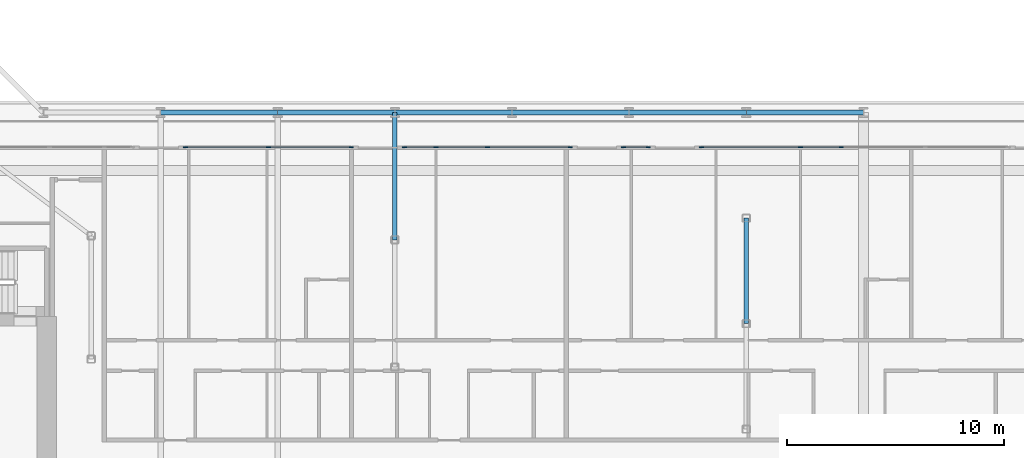
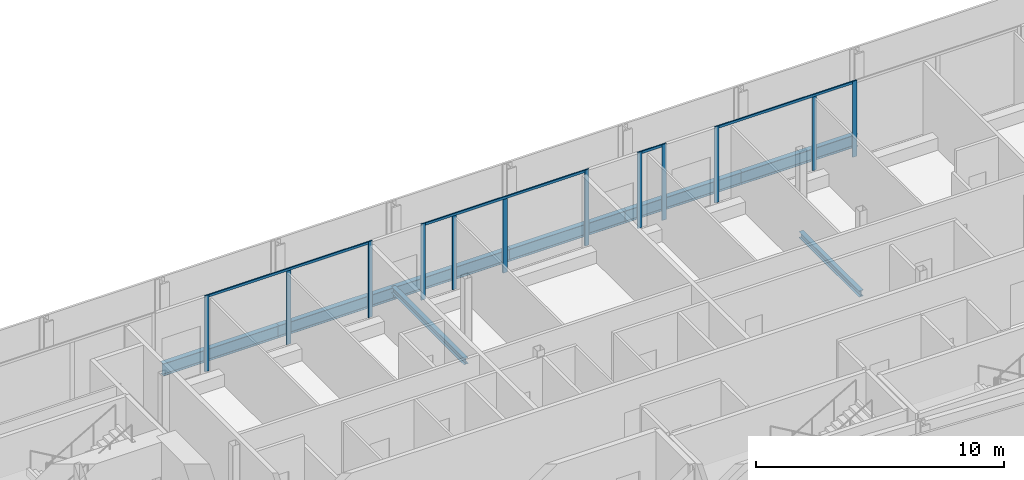
# One storey, part 6 of 28: 16 members, 8 beams, 4 elements without a shape of their own.
"""IFC4 building model written with IfcOpenShell, lengths in metres."""

from ifc_helpers import new_model, si_unit, direction, frame, origin, origin_2d, place, context, subcontext, project, spatial, rectangle, i_section, extrude, material, layer, layer_set, material_profile, profile_set, type_object, element, aggregate, save


model = new_model("IFC4")

# Units and contexts
model_context = context("Model", 3, precision=1e-05, world=origin(), true_north=direction((0.0, 1.0)))
body_context = subcontext(model_context, "Body", "Model", "MODEL_VIEW")
ifc_project = project(units=[si_unit("LENGTHUNIT", "METRE"), si_unit("AREAUNIT", "SQUARE_METRE"), si_unit("VOLUMEUNIT", "CUBIC_METRE"), si_unit("PLANEANGLEUNIT", "RADIAN"), si_unit("MASSUNIT", "GRAM", prefix="KILO")], contexts=[model_context])

# Site, building, storey
site_placement = place(None, origin())
site = spatial("IfcSite", under=ifc_project, at=site_placement, CompositionType="ELEMENT")
building_placement = place(site_placement, origin())
building = spatial("IfcBuilding", under=site, at=building_placement, Name="Kheshtan School and Residences Tower", CompositionType="ELEMENT")
storey_placement = place(building_placement, frame((0.0, 0.0, 94.10009765625)))
storey = spatial("IfcBuildingStorey", under=building, at=storey_placement, Name="L21", CompositionType="ELEMENT", Elevation=94.10009765625)

# Beams
ifc_material_1 = material(Name="Steel ASTM A992 Grade 50", Category="steel")
ifc_material_profile_1 = material_profile(ifc_material_1, i_section(OverallWidth=0.202880859375, OverallDepth=0.302978515625, WebThickness=0.007568359375, FlangeThickness=0.01318359375, FilletRadius=0.009033203125, at=origin_2d()), Name="W310x60")
ifc_profile_set_1 = profile_set([ifc_material_profile_1], Name="Steel ASTM A992 Grade 50")
beam_type_1 = type_object("IfcBeamType", Name="Beam FB1 W310x60 ASTM A992 Grade 50", PredefinedType="BEAM", material=ifc_profile_set_1)
beam_1_placement = place(storey_placement, frame((69.199951171875, 45.60009765625, -0.301513671875), z_axis=(0.0, -1.0, 0.0), x_axis=(1.0, 0.0, 0.0)))
element("IfcBeam", 1, at=beam_1_placement, inside=storey, type_object=beam_type_1, Name="Floor beam C064", PredefinedType="BEAM", context=body_context, shape_type="SweptSolid", body=[
    extrude(i_section(OverallWidth=0.202880859375, OverallDepth=0.302978515625, WebThickness=0.007568359375, FlangeThickness=0.01318359375, FilletRadius=0.009033203125, at=origin_2d()), origin(), (0.0, 0.0, 1.0), 5.8681640625),
])
beam_2_placement = place(storey_placement, frame((85.39990234375, 40.735107421875, -0.301513671875), z_axis=(0.0, -1.0, 0.0), x_axis=(1.0, 0.0, 0.0)))
element("IfcBeam", 2, at=beam_2_placement, inside=storey, type_object=beam_type_1, Name="Floor beam IC", PredefinedType="BEAM", context=body_context, shape_type="SweptSolid", body=[
    extrude(i_section(OverallWidth=0.202880859375, OverallDepth=0.302978515625, WebThickness=0.007568359375, FlangeThickness=0.01318359375, FilletRadius=0.009033203125, at=origin_2d()), origin(), (0.0, 0.0, 1.0), 4.864990234375),
])
ifc_material_profile_2 = material_profile(ifc_material_1, i_section(OverallWidth=0.22802734375, OverallDepth=0.60302734375, WebThickness=0.010498046875, FlangeThickness=0.014892578125, FilletRadius=0.013427734375, at=origin_2d()), Name="W610x101")
ifc_profile_set_2 = profile_set([ifc_material_profile_2], Name="Steel ASTM A992 Grade 50")
beam_type_2 = type_object("IfcBeamType", Name="Beam SP2 W610x101 ASTM A992 Grade 50", PredefinedType="BEAM", material=ifc_profile_set_2)
beam_3_placement = place(storey_placement, frame((58.39990234375, 45.60009765625, -0.45166015625), z_axis=(1.0, 0.0, 0.0), x_axis=(0.0, 1.0, 0.0)))
element("IfcBeam", 3, at=beam_3_placement, inside=storey, type_object=beam_type_2, Name="Spandrel beam C062-C063", PredefinedType="BEAM", context=body_context, shape_type="SweptSolid", body=[
    extrude(i_section(OverallWidth=0.22802734375, OverallDepth=0.60302734375, WebThickness=0.010498046875, FlangeThickness=0.014892578125, FilletRadius=0.013427734375, at=origin_2d()), origin(), (0.0, 0.0, 1.0), 5.400146484375),
])
beam_4_placement = place(storey_placement, frame((63.800048828125, 45.60009765625, -0.45166015625), z_axis=(1.0, 0.0, 0.0), x_axis=(0.0, 1.0, 0.0)))
element("IfcBeam", 4, at=beam_4_placement, inside=storey, type_object=beam_type_2, Name="Spandrel beam C063-C064", PredefinedType="BEAM", context=body_context, shape_type="SweptSolid", body=[
    extrude(i_section(OverallWidth=0.22802734375, OverallDepth=0.60302734375, WebThickness=0.010498046875, FlangeThickness=0.014892578125, FilletRadius=0.013427734375, at=origin_2d()), origin(), (0.0, 0.0, 1.0), 5.39990234375),
])
beam_5_placement = place(storey_placement, frame((69.199951171875, 45.60009765625, -0.45166015625), z_axis=(1.0, 0.0, 0.0), x_axis=(0.0, 1.0, 0.0)))
element("IfcBeam", 5, at=beam_5_placement, inside=storey, type_object=beam_type_2, Name="Spandrel beam C064-C065", PredefinedType="BEAM", context=body_context, shape_type="SweptSolid", body=[
    extrude(i_section(OverallWidth=0.22802734375, OverallDepth=0.60302734375, WebThickness=0.010498046875, FlangeThickness=0.014892578125, FilletRadius=0.013427734375, at=origin_2d()), origin(), (0.0, 0.0, 1.0), 5.400146484375),
])
for number, where, z_axis, x_axis, name in (
    (6, (74.60009765625, 45.60009765625, -0.45166015625), (1.0, 0.0, 0.0), (0.0, 1.0, 0.0), "Spandrel beam C065-C066"),
    (7, (80.0, 45.60009765625, -0.45166015625), (1.0, 0.0, 0.0), (0.0, 1.0, 0.0), "Spandrel beam C066-C067"),
):
    element("IfcBeam", number, at=place(storey_placement, frame(where, z_axis=z_axis, x_axis=x_axis)), inside=storey, type_object=beam_type_2, Name=name, PredefinedType="BEAM", context=body_context, shape_type="SweptSolid", body=[
        extrude(i_section(OverallWidth=0.22802734375, OverallDepth=0.60302734375, WebThickness=0.010498046875, FlangeThickness=0.014892578125, FilletRadius=0.013427734375, at=origin_2d()), origin(), (0.0, 0.0, 1.0), 5.39990234375),
    ])
beam_6_placement = place(storey_placement, frame((85.39990234375, 45.60009765625, -0.45166015625), z_axis=(1.0, 0.0, 0.0), x_axis=(0.0, 1.0, 0.0)))
element("IfcBeam", 8, at=beam_6_placement, inside=storey, type_object=beam_type_2, Name="Spandrel beam C067-C068", PredefinedType="BEAM", context=body_context, shape_type="SweptSolid", body=[
    extrude(i_section(OverallWidth=0.22802734375, OverallDepth=0.60302734375, WebThickness=0.010498046875, FlangeThickness=0.014892578125, FilletRadius=0.013427734375, at=origin_2d()), origin(), (0.0, 0.0, 1.0), 5.400146484375),
])

# Curtain wall, members
ifc_material_2 = material(Name="Clear low-e glass in thermally broken aluminium frame", Category="aluminium")
ifc_layer = layer(ifc_material_2, 0.199951171875)
ifc_layer_set = layer_set([ifc_layer], Name="Curtain wall CW-L")
curtain_wall_type = type_object("IfcCurtainWallType", Name="Curtain wall CW-L", PredefinedType="NOTDEFINED", material=ifc_layer_set)
curtain_wall_1_placement = place(storey_placement, origin())
curtain_wall_1 = element("IfcCurtainWall", 9, at=curtain_wall_1_placement, inside=storey, type_object=curtain_wall_type, Name="Curtain wall CWL8", PredefinedType="NOTDEFINED")
ifc_material_3 = material(Name="Thermally broken aluminium, dark bronze anodised", Category="aluminium")
ifc_material_profile_3 = material_profile(ifc_material_3, rectangle(XDim=0.06005859375, YDim=0.199951171875, at=origin_2d()), Name="CW-L mullion 60x200")
ifc_profile_set_3 = profile_set([ifc_material_profile_3], Name="Thermally broken aluminium, dark bronze anodised")
member_type_1 = type_object("IfcMemberType", Name="CW-L mullion 60x200", PredefinedType="MULLION", material=ifc_profile_set_3)
member_1_placement = place(storey_placement, frame((59.553955078125, 44.0, 0.0), z_axis=(0.0, 0.0, 1.0), x_axis=(0.0, 1.0, 0.0)))
member_1 = element("IfcMember", 10, at=member_1_placement, type_object=member_type_1, Name="CWL8 mullion 1", PredefinedType="MULLION", context=body_context, shape_type="SweptSolid", body=[
    extrude(rectangle(XDim=0.06005859375, YDim=0.199951171875, at=origin_2d()), origin(), (0.0, 0.0, 1.0), 3.75),
])
member_2_placement = place(storey_placement, frame((63.37109375, 44.0, 0.0), z_axis=(0.0, 0.0, 1.0), x_axis=(0.0, 1.0, 0.0)))
member_2 = element("IfcMember", 11, at=member_2_placement, type_object=member_type_1, Name="CWL8 mullion 2", PredefinedType="MULLION", context=body_context, shape_type="SweptSolid", body=[
    extrude(rectangle(XDim=0.06005859375, YDim=0.199951171875, at=origin_2d()), origin(), (0.0, 0.0, 1.0), 3.6298828125),
])
member_3_placement = place(storey_placement, frame((67.18798828125, 44.0, 0.0), z_axis=(0.0, 0.0, 1.0), x_axis=(0.0, 1.0, 0.0)))
member_3 = element("IfcMember", 12, at=member_3_placement, type_object=member_type_1, Name="CWL8 mullion 3", PredefinedType="MULLION", context=body_context, shape_type="SweptSolid", body=[
    extrude(rectangle(XDim=0.06005859375, YDim=0.199951171875, at=origin_2d()), origin(), (0.0, 0.0, 1.0), 3.75),
])

curtain_wall_2_placement = place(storey_placement, origin())
curtain_wall_2 = element("IfcCurtainWall", 13, at=curtain_wall_2_placement, inside=storey, type_object=curtain_wall_type, Name="Curtain wall CWL8c", PredefinedType="NOTDEFINED")
member_4_placement = place(storey_placement, frame((69.64794921875, 44.0, 0.0), z_axis=(0.0, 0.0, 1.0), x_axis=(0.0, 1.0, 0.0)))
member_4 = element("IfcMember", 14, at=member_4_placement, type_object=member_type_1, Name="CWL8c mullion 1", PredefinedType="MULLION", context=body_context, shape_type="SweptSolid", body=[
    extrude(rectangle(XDim=0.06005859375, YDim=0.199951171875, at=origin_2d()), origin(), (0.0, 0.0, 1.0), 3.75),
])
member_5_placement = place(storey_placement, frame((71.10009765625, 44.0, 0.0), z_axis=(0.0, 0.0, 1.0), x_axis=(0.0, 1.0, 0.0)))
member_5 = element("IfcMember", 15, at=member_5_placement, type_object=member_type_1, Name="CWL8c mullion 2", PredefinedType="MULLION", context=body_context, shape_type="SweptSolid", body=[
    extrude(rectangle(XDim=0.06005859375, YDim=0.199951171875, at=origin_2d()), origin(), (0.0, 0.0, 1.0), 3.6298828125),
])
member_6_placement = place(storey_placement, frame((73.465087890625, 44.0, 0.0), z_axis=(0.0, 0.0, 1.0), x_axis=(0.0, 1.0, 0.0)))
member_6 = element("IfcMember", 16, at=member_6_placement, type_object=member_type_1, Name="CWL8c mullion 3", PredefinedType="MULLION", context=body_context, shape_type="SweptSolid", body=[
    extrude(rectangle(XDim=0.06005859375, YDim=0.199951171875, at=origin_2d()), origin(), (0.0, 0.0, 1.0), 3.6298828125),
])
member_7_placement = place(storey_placement, frame((77.281982421875, 44.0, 0.0), z_axis=(0.0, 0.0, 1.0), x_axis=(0.0, 1.0, 0.0)))
member_7 = element("IfcMember", 17, at=member_7_placement, type_object=member_type_1, Name="CWL8c mullion 4", PredefinedType="MULLION", context=body_context, shape_type="SweptSolid", body=[
    extrude(rectangle(XDim=0.06005859375, YDim=0.199951171875, at=origin_2d()), origin(), (0.0, 0.0, 1.0), 3.75),
])

curtain_wall_3_placement = place(storey_placement, origin())
curtain_wall_3 = element("IfcCurtainWall", 18, at=curtain_wall_3_placement, inside=storey, type_object=curtain_wall_type, Name="Curtain wall CWL8g", PredefinedType="NOTDEFINED")
member_8_placement = place(storey_placement, frame((79.741943359375, 44.0, 0.0), z_axis=(0.0, 0.0, 1.0), x_axis=(0.0, 1.0, 0.0)))
member_8 = element("IfcMember", 19, at=member_8_placement, type_object=member_type_1, Name="CWL8g mullion 1", PredefinedType="MULLION", context=body_context, shape_type="SweptSolid", body=[
    extrude(rectangle(XDim=0.06005859375, YDim=0.199951171875, at=origin_2d()), origin(), (0.0, 0.0, 1.0), 3.75),
])
member_9_placement = place(storey_placement, frame((80.882080078125, 44.0, 0.0), z_axis=(0.0, 0.0, 1.0), x_axis=(0.0, 1.0, 0.0)))
member_9 = element("IfcMember", 20, at=member_9_placement, type_object=member_type_1, Name="CWL8g mullion 2", PredefinedType="MULLION", context=body_context, shape_type="SweptSolid", body=[
    extrude(rectangle(XDim=0.06005859375, YDim=0.199951171875, at=origin_2d()), origin(), (0.0, 0.0, 1.0), 3.75),
])

curtain_wall_4_placement = place(storey_placement, origin())
curtain_wall_4 = element("IfcCurtainWall", 21, at=curtain_wall_4_placement, inside=storey, type_object=curtain_wall_type, Name="Curtain wall CWL8k", PredefinedType="NOTDEFINED")
member_10_placement = place(storey_placement, frame((83.342041015625, 44.0, 0.0), z_axis=(0.0, 0.0, 1.0), x_axis=(0.0, 1.0, 0.0)))
member_10 = element("IfcMember", 22, at=member_10_placement, type_object=member_type_1, Name="CWL8k mullion 1", PredefinedType="MULLION", context=body_context, shape_type="SweptSolid", body=[
    extrude(rectangle(XDim=0.06005859375, YDim=0.199951171875, at=origin_2d()), origin(), (0.0, 0.0, 1.0), 3.75),
])
member_11_placement = place(storey_placement, frame((87.89990234375, 44.0, 0.0), z_axis=(0.0, 0.0, 1.0), x_axis=(0.0, 1.0, 0.0)))
member_11 = element("IfcMember", 23, at=member_11_placement, type_object=member_type_1, Name="CWL8k mullion 2", PredefinedType="MULLION", context=body_context, shape_type="SweptSolid", body=[
    extrude(rectangle(XDim=0.06005859375, YDim=0.199951171875, at=origin_2d()), origin(), (0.0, 0.0, 1.0), 3.6298828125),
])
member_12_placement = place(storey_placement, frame((89.77587890625, 44.0, 0.0), z_axis=(0.0, 0.0, 1.0), x_axis=(0.0, 1.0, 0.0)))
member_12 = element("IfcMember", 24, at=member_12_placement, type_object=member_type_1, Name="CWL8k mullion 3", PredefinedType="MULLION", context=body_context, shape_type="SweptSolid", body=[
    extrude(rectangle(XDim=0.06005859375, YDim=0.199951171875, at=origin_2d()), origin(), (0.0, 0.0, 1.0), 3.75),
])

# Member
ifc_material_profile_4 = material_profile(ifc_material_3, rectangle(XDim=0.06005859375, YDim=0.1201171875, at=origin_2d()), Name="CW-L transom 60x120")
ifc_profile_set_4 = profile_set([ifc_material_profile_4], Name="Thermally broken aluminium, dark bronze anodised")
member_type_2 = type_object("IfcMemberType", Name="CW-L transom 60x120", PredefinedType="USERDEFINED", material=ifc_profile_set_4)
member_13_placement = place(storey_placement, frame((59.583984375, 44.0, 3.68994140625), z_axis=(1.0, 0.0, 0.0), x_axis=(0.0, 1.0, 0.0)))
member_13 = element("IfcMember", 25, at=member_13_placement, type_object=member_type_2, Name="CWL8 transom 1", ObjectType="TRANSOM", PredefinedType="USERDEFINED", context=body_context, shape_type="SweptSolid", body=[
    extrude(rectangle(XDim=0.06005859375, YDim=0.1201171875, at=origin_2d()), origin(), (0.0, 0.0, 1.0), 7.573974609375),
])

aggregate(curtain_wall_1, [member_1, member_2, member_3, member_13])

member_14_placement = place(storey_placement, frame((69.677978515625, 44.0, 3.68994140625), z_axis=(1.0, 0.0, 0.0), x_axis=(0.0, 1.0, 0.0)))
member_14 = element("IfcMember", 26, at=member_14_placement, type_object=member_type_2, Name="CWL8c transom 1", ObjectType="TRANSOM", PredefinedType="USERDEFINED", context=body_context, shape_type="SweptSolid", body=[
    extrude(rectangle(XDim=0.06005859375, YDim=0.1201171875, at=origin_2d()), origin(), (0.0, 0.0, 1.0), 7.573974609375),
])

aggregate(curtain_wall_2, [member_4, member_5, member_6, member_7, member_14])

member_15_placement = place(storey_placement, frame((79.77197265625, 44.0, 3.68994140625), z_axis=(1.0, 0.0, 0.0), x_axis=(0.0, 1.0, 0.0)))
member_15 = element("IfcMember", 27, at=member_15_placement, type_object=member_type_2, Name="CWL8g transom 1", ObjectType="TRANSOM", PredefinedType="USERDEFINED", context=body_context, shape_type="SweptSolid", body=[
    extrude(rectangle(XDim=0.06005859375, YDim=0.1201171875, at=origin_2d()), origin(), (0.0, 0.0, 1.0), 1.080078125),
])

aggregate(curtain_wall_3, [member_8, member_9, member_15])

member_16_placement = place(storey_placement, frame((83.3720703125, 44.0, 3.68994140625), z_axis=(1.0, 0.0, 0.0), x_axis=(0.0, 1.0, 0.0)))
member_16 = element("IfcMember", 28, at=member_16_placement, type_object=member_type_2, Name="CWL8k transom 1", ObjectType="TRANSOM", PredefinedType="USERDEFINED", context=body_context, shape_type="SweptSolid", body=[
    extrude(rectangle(XDim=0.06005859375, YDim=0.1201171875, at=origin_2d()), origin(), (0.0, 0.0, 1.0), 6.3740234375),
])

aggregate(curtain_wall_4, [member_10, member_11, member_12, member_16])

save(model, "model.ifc")
